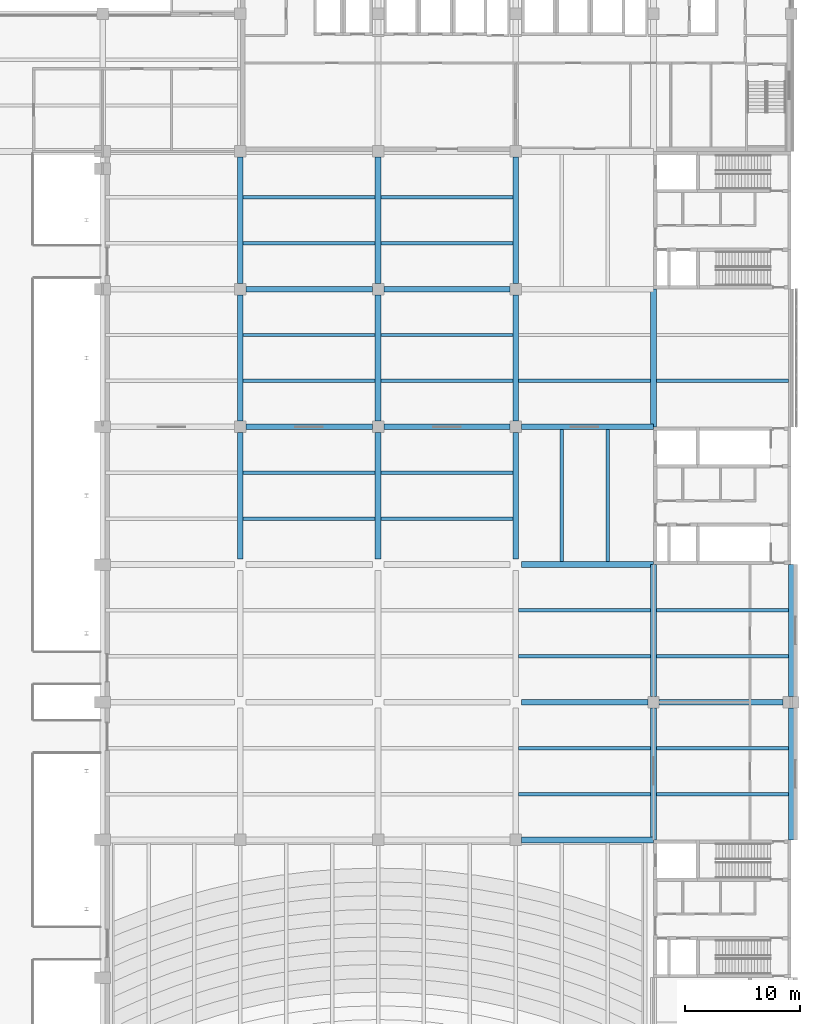
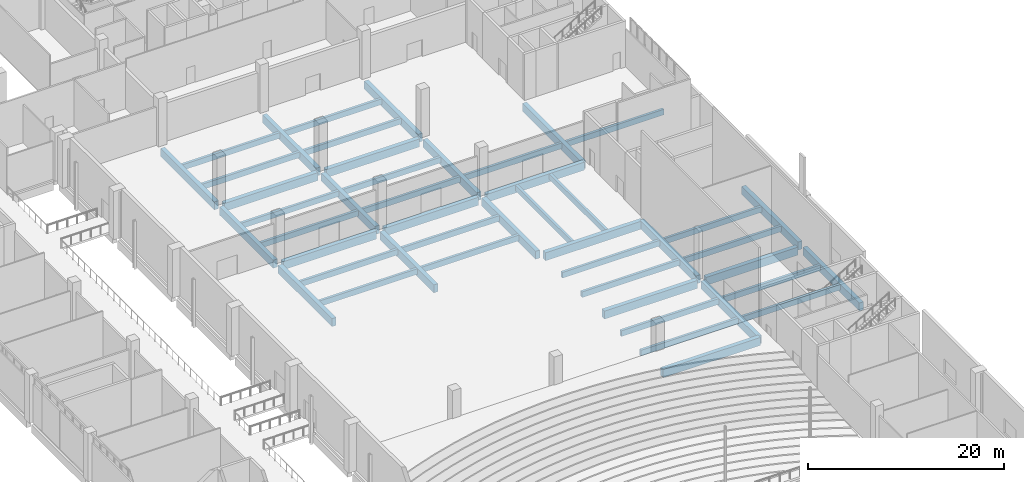
# One storey, part 33 of 72: 47 beams.
"""IFC4 building model written with IfcOpenShell, lengths in metres."""

from ifc_helpers import new_model, si_unit, direction, frame, origin, origin_2d, place, context, subcontext, project, spatial, rectangle, extrude, material, material_profile, profile_set, type_object, element, save


model = new_model("IFC4")

# Units and contexts
model_context = context("Model", 3, precision=1e-05, world=origin(), true_north=direction((0.0, 1.0)))
body_context = subcontext(model_context, "Body", "Model", "MODEL_VIEW")
ifc_project = project(units=[si_unit("LENGTHUNIT", "METRE"), si_unit("AREAUNIT", "SQUARE_METRE"), si_unit("VOLUMEUNIT", "CUBIC_METRE"), si_unit("PLANEANGLEUNIT", "RADIAN"), si_unit("MASSUNIT", "GRAM", prefix="KILO")], contexts=[model_context])

# Site, building, storey
site_placement = place(None, origin())
site = spatial("IfcSite", under=ifc_project, at=site_placement, CompositionType="ELEMENT")
building_placement = place(site_placement, origin())
building = spatial("IfcBuilding", under=site, at=building_placement, Name="Lilac Gate Convention Centre", CompositionType="ELEMENT")
storey_placement = place(building_placement, frame((0.0, 0.0, 6.0)))
storey = spatial("IfcBuildingStorey", under=building, at=storey_placement, Name="L01", CompositionType="ELEMENT", Elevation=6.0)

# Beams
ifc_material = material(Name="Concrete C40", Category="concrete")
ifc_material_profile_1 = material_profile(ifc_material, rectangle(XDim=0.5, YDim=1.0, at=origin_2d()), Name="RC 500x1000")
ifc_profile_set_1 = profile_set([ifc_material_profile_1], Name="Concrete C40")
beam_type_1 = type_object("IfcBeamType", Name="Primary beam 500x1000 C40", PredefinedType="BEAM", material=ifc_profile_set_1)
beam_1_placement = place(storey_placement, frame((66.5, 162.0, -0.75), z_axis=(1.0, 0.0, 0.0), x_axis=(0.0, 1.0, 0.0)))
element("IfcBeam", 1, at=beam_1_placement, inside=storey, type_object=beam_type_1, Name="RB1 L01 6/M-7/M", PredefinedType="BEAM", context=body_context, shape_type="SweptSolid", body=[
    extrude(rectangle(XDim=0.5, YDim=1.0, at=origin_2d()), origin(), (0.0, 0.0, 1.0), 11.5),
])
beam_2_placement = place(storey_placement, frame((66.5, 174.0, -0.75), z_axis=(1.0, 0.0, 0.0), x_axis=(0.0, 1.0, 0.0)))
element("IfcBeam", 2, at=beam_2_placement, inside=storey, type_object=beam_type_1, Name="RB1 L01 6/N-7/N", PredefinedType="BEAM", context=body_context, shape_type="SweptSolid", body=[
    extrude(rectangle(XDim=0.5, YDim=1.0, at=origin_2d()), origin(), (0.0, 0.0, 1.0), 11.0),
])
beam_3_placement = place(storey_placement, frame((78.5, 174.0, -0.75), z_axis=(1.0, 0.0, 0.0), x_axis=(0.0, 1.0, 0.0)))
element("IfcBeam", 3, at=beam_3_placement, inside=storey, type_object=beam_type_1, Name="RB1 L01 7/N-8/N", PredefinedType="BEAM", context=body_context, shape_type="SweptSolid", body=[
    extrude(rectangle(XDim=0.5, YDim=1.0, at=origin_2d()), origin(), (0.0, 0.0, 1.0), 10.800048828125),
])
beam_4_placement = place(storey_placement, frame((66.5, 186.0, -0.75), z_axis=(1.0, 0.0, 0.0), x_axis=(0.0, 1.0, 0.0)))
element("IfcBeam", 4, at=beam_4_placement, inside=storey, type_object=beam_type_1, Name="RB1 L01 6/P-7/P", PredefinedType="BEAM", context=body_context, shape_type="SweptSolid", body=[
    extrude(rectangle(XDim=0.5, YDim=1.0, at=origin_2d()), origin(), (0.0, 0.0, 1.0), 11.5),
])
for number, where, z_axis, x_axis, name in (
    (5, (42.5, 198.0, -0.75), (1.0, 0.0, 0.0), (0.0, 1.0, 0.0), "RB1 L01 4/Q-5/Q"),
    (6, (54.5, 198.0, -0.75), (1.0, 0.0, 0.0), (0.0, 1.0, 0.0), "RB1 L01 5/Q-6/Q"),
):
    element("IfcBeam", number, at=place(storey_placement, frame(where, z_axis=z_axis, x_axis=x_axis)), inside=storey, type_object=beam_type_1, Name=name, PredefinedType="BEAM", context=body_context, shape_type="SweptSolid", body=[
        extrude(rectangle(XDim=0.5, YDim=1.0, at=origin_2d()), origin(), (0.0, 0.0, 1.0), 11.0),
    ])
beam_5_placement = place(storey_placement, frame((66.5, 198.0, -0.75), z_axis=(1.0, 0.0, 0.0), x_axis=(0.0, 1.0, 0.0)))
element("IfcBeam", 7, at=beam_5_placement, inside=storey, type_object=beam_type_1, Name="RB1 L01 6/Q-7/Q", PredefinedType="BEAM", context=body_context, shape_type="SweptSolid", body=[
    extrude(rectangle(XDim=0.5, YDim=1.0, at=origin_2d()), origin(), (0.0, 0.0, 1.0), 11.5),
])
for number, where, z_axis, x_axis, name in (
    (8, (42.5, 210.0, -0.75), (1.0, 0.0, 0.0), (0.0, 1.0, 0.0), "RB1 L01 4/R-5/R"),
    (9, (54.5, 210.0, -0.75), (1.0, 0.0, 0.0), (0.0, 1.0, 0.0), "RB1 L01 5/R-6/R"),
    (10, (42.0, 186.5, -0.75), (0.0, 1.0, 0.0), (-1.0, 0.0, 0.0), "RB1 L01 4/P-4/Q"),
    (11, (42.0, 198.5, -0.75), (0.0, 1.0, 0.0), (-1.0, 0.0, 0.0), "RB1 L01 4/Q-4/R"),
    (12, (42.0, 210.5, -0.75), (0.0, 1.0, 0.0), (-1.0, 0.0, 0.0), "RB1 L01 4/R-4/S"),
    (13, (54.0, 186.5, -0.75), (0.0, 1.0, 0.0), (-1.0, 0.0, 0.0), "RB1 L01 5/P-5/Q"),
    (14, (54.0, 198.5, -0.75), (0.0, 1.0, 0.0), (-1.0, 0.0, 0.0), "RB1 L01 5/Q-5/R"),
    (15, (54.0, 210.5, -0.75), (0.0, 1.0, 0.0), (-1.0, 0.0, 0.0), "RB1 L01 5/R-5/S"),
    (16, (66.0, 186.5, -0.75), (0.0, 1.0, 0.0), (-1.0, 0.0, 0.0), "RB1 L01 6/P-6/Q"),
    (17, (66.0, 198.5, -0.75), (0.0, 1.0, 0.0), (-1.0, 0.0, 0.0), "RB1 L01 6/Q-6/R"),
    (18, (66.0, 210.5, -0.75), (0.0, 1.0, 0.0), (-1.0, 0.0, 0.0), "RB1 L01 6/R-6/S"),
):
    element("IfcBeam", number, at=place(storey_placement, frame(where, z_axis=z_axis, x_axis=x_axis)), inside=storey, type_object=beam_type_1, Name=name, PredefinedType="BEAM", context=body_context, shape_type="SweptSolid", body=[
        extrude(rectangle(XDim=0.5, YDim=1.0, at=origin_2d()), origin(), (0.0, 0.0, 1.0), 11.0),
    ])
for number, where, z_axis, x_axis, name in (
    (19, (78.0, 162.0, -0.75), (0.0, 1.0, 0.0), (-1.0, 0.0, 0.0), "RB1 L01 7/M-7/N"),
    (20, (78.0, 174.5, -0.75), (0.0, 1.0, 0.0), (-1.0, 0.0, 0.0), "RB1 L01 7/N-7/P"),
):
    element("IfcBeam", number, at=place(storey_placement, frame(where, z_axis=z_axis, x_axis=x_axis)), inside=storey, type_object=beam_type_1, Name=name, PredefinedType="BEAM", context=body_context, shape_type="SweptSolid", body=[
        extrude(rectangle(XDim=0.5, YDim=1.0, at=origin_2d()), origin(), (0.0, 0.0, 1.0), 11.5),
    ])
beam_6_placement = place(storey_placement, frame((78.0, 198.0, -0.75), z_axis=(0.0, 1.0, 0.0), x_axis=(-1.0, 0.0, 0.0)))
element("IfcBeam", 21, at=beam_6_placement, inside=storey, type_object=beam_type_1, Name="RB1 L01 7/Q-7/R", PredefinedType="BEAM", context=body_context, shape_type="SweptSolid", body=[
    extrude(rectangle(XDim=0.5, YDim=1.0, at=origin_2d()), origin(), (0.0, 0.0, 1.0), 12.0),
])
for number, where, z_axis, x_axis, name in (
    (22, (90.0, 162.0, -0.75), (0.0, 1.0, 0.0), (-1.0, 0.0, 0.0), "RB1 L01 8/M-8/N"),
    (23, (90.0, 174.5, -0.75), (0.0, 1.0, 0.0), (-1.0, 0.0, 0.0), "RB1 L01 8/N-8/P"),
):
    element("IfcBeam", number, at=place(storey_placement, frame(where, z_axis=z_axis, x_axis=x_axis)), inside=storey, type_object=beam_type_1, Name=name, PredefinedType="BEAM", context=body_context, shape_type="SweptSolid", body=[
        extrude(rectangle(XDim=0.5, YDim=1.0, at=origin_2d()), origin(), (0.0, 0.0, 1.0), 11.5),
    ])
ifc_material_profile_2 = material_profile(ifc_material, rectangle(XDim=0.300048828125, YDim=0.699951171875, at=origin_2d()), Name="RC 300x700")
ifc_profile_set_2 = profile_set([ifc_material_profile_2], Name="Concrete C40")
beam_type_2 = type_object("IfcBeamType", Name="Secondary beam 300x700 C40", PredefinedType="BEAM", material=ifc_profile_set_2)
for number, where, z_axis, x_axis, name in (
    (24, (42.25, 190.0, -0.60009765625), (1.0, 0.0, 0.0), (0.0, 1.0, 0.0), "RB2 L01 bay 4/P"),
    (25, (42.25, 194.0, -0.60009765625), (1.0, 0.0, 0.0), (0.0, 1.0, 0.0), "RB2 L01 bay 4/P"),
    (26, (42.25, 202.0, -0.60009765625), (1.0, 0.0, 0.0), (0.0, 1.0, 0.0), "RB2 L01 bay 4/Q"),
    (27, (42.25, 206.0, -0.60009765625), (1.0, 0.0, 0.0), (0.0, 1.0, 0.0), "RB2 L01 bay 4/Q"),
    (28, (42.25, 214.0, -0.60009765625), (1.0, 0.0, 0.0), (0.0, 1.0, 0.0), "RB2 L01 bay 4/R"),
    (29, (42.25, 218.0, -0.60009765625), (1.0, 0.0, 0.0), (0.0, 1.0, 0.0), "RB2 L01 bay 4/R"),
    (30, (54.25, 190.0, -0.60009765625), (1.0, 0.0, 0.0), (0.0, 1.0, 0.0), "RB2 L01 bay 5/P"),
    (31, (54.25, 194.0, -0.60009765625), (1.0, 0.0, 0.0), (0.0, 1.0, 0.0), "RB2 L01 bay 5/P"),
    (32, (54.25, 202.0, -0.60009765625), (1.0, 0.0, 0.0), (0.0, 1.0, 0.0), "RB2 L01 bay 5/Q"),
    (33, (54.25, 206.0, -0.60009765625), (1.0, 0.0, 0.0), (0.0, 1.0, 0.0), "RB2 L01 bay 5/Q"),
    (34, (54.25, 214.0, -0.60009765625), (1.0, 0.0, 0.0), (0.0, 1.0, 0.0), "RB2 L01 bay 5/R"),
    (35, (54.25, 218.0, -0.60009765625), (1.0, 0.0, 0.0), (0.0, 1.0, 0.0), "RB2 L01 bay 5/R"),
    (36, (66.25, 166.0, -0.60009765625), (1.0, 0.0, 0.0), (0.0, 1.0, 0.0), "RB2 L01 bay 6/M"),
    (37, (66.25, 170.0, -0.60009765625), (1.0, 0.0, 0.0), (0.0, 1.0, 0.0), "RB2 L01 bay 6/M"),
    (38, (66.25, 178.0, -0.60009765625), (1.0, 0.0, 0.0), (0.0, 1.0, 0.0), "RB2 L01 bay 6/N"),
    (39, (66.25, 182.0, -0.60009765625), (1.0, 0.0, 0.0), (0.0, 1.0, 0.0), "RB2 L01 bay 6/N"),
    (40, (70.0, 186.25, -0.60009765625), (0.0, 1.0, 0.0), (-1.0, 0.0, 0.0), "RB2 L01 bay 6/P"),
    (41, (74.0, 186.25, -0.60009765625), (0.0, 1.0, 0.0), (-1.0, 0.0, 0.0), "RB2 L01 bay 6/P"),
    (42, (66.25, 202.0, -0.60009765625), (1.0, 0.0, 0.0), (0.0, 1.0, 0.0), "RB2 L01 bay 6/Q"),
    (43, (78.25, 166.0, -0.60009765625), (1.0, 0.0, 0.0), (0.0, 1.0, 0.0), "RB2 L01 bay 7/M"),
    (44, (78.25, 170.0, -0.60009765625), (1.0, 0.0, 0.0), (0.0, 1.0, 0.0), "RB2 L01 bay 7/M"),
    (45, (78.25, 178.0, -0.60009765625), (1.0, 0.0, 0.0), (0.0, 1.0, 0.0), "RB2 L01 bay 7/N"),
    (46, (78.25, 182.0, -0.60009765625), (1.0, 0.0, 0.0), (0.0, 1.0, 0.0), "RB2 L01 bay 7/N"),
    (47, (78.25, 202.0, -0.60009765625), (1.0, 0.0, 0.0), (0.0, 1.0, 0.0), "RB2 L01 bay 7/Q"),
):
    element("IfcBeam", number, at=place(storey_placement, frame(where, z_axis=z_axis, x_axis=x_axis)), inside=storey, type_object=beam_type_2, Name=name, PredefinedType="BEAM", context=body_context, shape_type="SweptSolid", body=[
        extrude(rectangle(XDim=0.300048828125, YDim=0.699951171875, at=origin_2d()), origin(), (0.0, 0.0, 1.0), 11.5),
    ])

save(model, "model.ifc")
